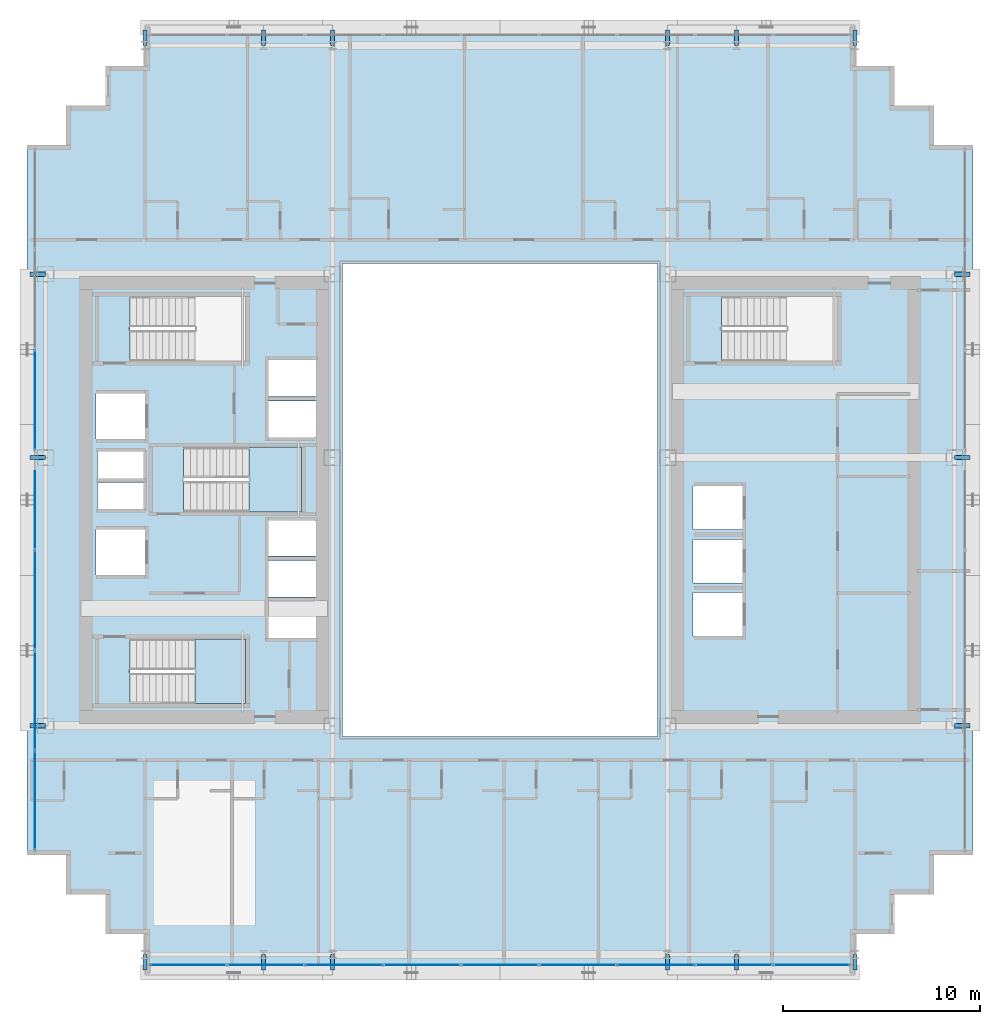
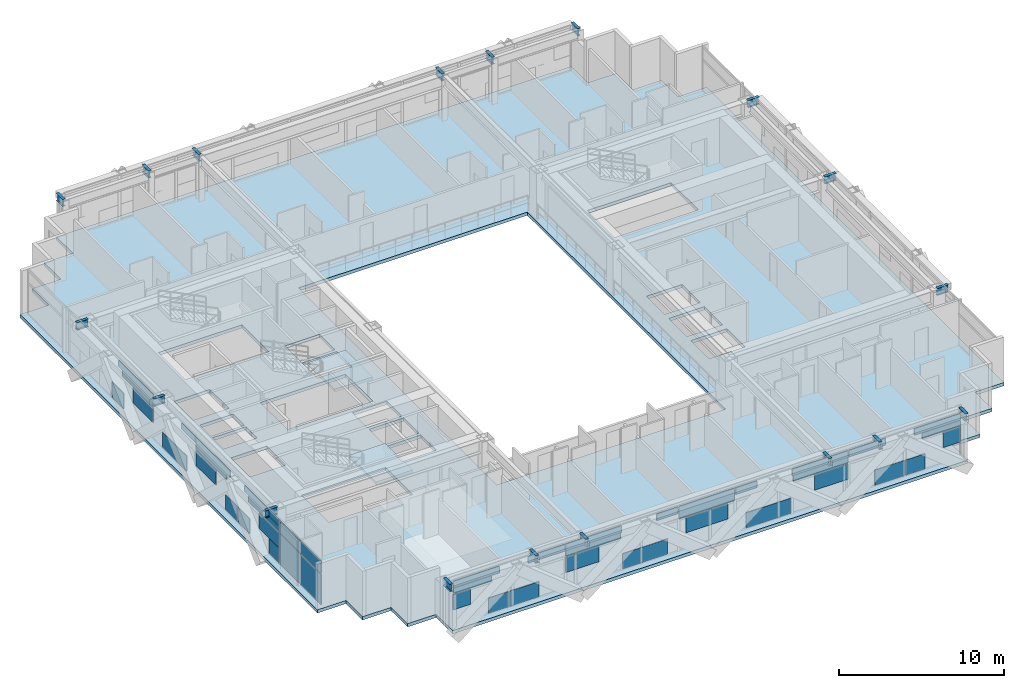
# One storey, part 23 of 36: 41 plates, 18 beams, 3 slabs, 4 elements without a shape of their own.
"""IFC4 building model written with IfcOpenShell, lengths in metres."""

from ifc_helpers import new_model, si_unit, direction, frame, origin, origin_2d, place, context, subcontext, project, spatial, polyline, rectangle, i_section, outline, extrude, source, transform, mapped, material, layer, layer_set, material_profile, profile_set, type_object, element, aggregate, save


model = new_model("IFC4")

# Units and contexts
model_context = context("Model", 3, precision=1e-05, world=origin(), true_north=direction((0.0, 1.0)))
body_context = subcontext(model_context, "Body", "Model", "MODEL_VIEW")
ifc_project = project(units=[si_unit("LENGTHUNIT", "METRE"), si_unit("AREAUNIT", "SQUARE_METRE"), si_unit("VOLUMEUNIT", "CUBIC_METRE"), si_unit("PLANEANGLEUNIT", "RADIAN"), si_unit("MASSUNIT", "GRAM", prefix="KILO")], contexts=[model_context])

# Site, building, storey
site_placement = place(None, origin())
site = spatial("IfcSite", under=ifc_project, at=site_placement, CompositionType="ELEMENT")
building_placement = place(site_placement, origin())
building = spatial("IfcBuilding", under=site, at=building_placement, Name="Ocotamira Hotel", CompositionType="ELEMENT")
storey_placement = place(building_placement, frame((0.0, 0.0, 97.199951171875)))
storey = spatial("IfcBuildingStorey", under=building, at=storey_placement, Name="L23", CompositionType="ELEMENT", Elevation=97.199951171875)

# Beams
ifc_material_1 = material(Name="Steel ASTM A992 Grade 50", Category="steel")
ifc_material_profile = material_profile(ifc_material_1, i_section(OverallWidth=0.2099609375, OverallDepth=0.537109375, WebThickness=0.010986328125, FlangeThickness=0.017333984375, FilletRadius=0.012939453125, at=origin_2d()), Name="W21X68")
ifc_profile_set = profile_set([ifc_material_profile], Name="Steel ASTM A992 Grade 50")
beam_type = type_object("IfcBeamType", Name="BM-SEC-W21X68", PredefinedType="JOIST", material=ifc_profile_set)
shared_shape_1 = source(origin(), body_context, "Body", "SweptSolid", [
    extrude(i_section(OverallWidth=0.2099609375, OverallDepth=0.537109375, WebThickness=0.010986328125, FlangeThickness=0.017333984375, FilletRadius=0.012939453125, at=origin_2d()), origin(), (0.0, 0.0, 1.0), 0.800048828125),
])
for number, where, z_axis, x_axis, name in (
    (1, (14.0, 2.949951171875, 3.091552734375), (0.0, -1.0, 0.0), (1.0, 0.0, 0.0), "L23 South Edge Header X14"),
    (2, (14.0, 49.050048828125, 3.091552734375), (0.0, 1.0, 0.0), (-1.0, 0.0, 0.0), "L23 North Edge Header X14"),
    (3, (20.0, 2.949951171875, 3.091552734375), (0.0, -1.0, 0.0), (1.0, 0.0, 0.0), "L23 South Edge Header X20"),
    (4, (20.0, 49.050048828125, 3.091552734375), (0.0, 1.0, 0.0), (-1.0, 0.0, 0.0), "L23 North Edge Header X20"),
    (5, (23.5, 2.949951171875, 3.091552734375), (0.0, -1.0, 0.0), (1.0, 0.0, 0.0), "L23 South Edge Header X23.5"),
    (6, (23.5, 49.050048828125, 3.091552734375), (0.0, 1.0, 0.0), (-1.0, 0.0, 0.0), "L23 North Edge Header X23.5"),
    (7, (40.5, 2.949951171875, 3.091552734375), (0.0, -1.0, 0.0), (1.0, 0.0, 0.0), "L23 South Edge Header X40.5"),
    (8, (40.5, 49.050048828125, 3.091552734375), (0.0, 1.0, 0.0), (-1.0, 0.0, 0.0), "L23 North Edge Header X40.5"),
    (9, (44.0, 2.949951171875, 3.091552734375), (0.0, -1.0, 0.0), (1.0, 0.0, 0.0), "L23 South Edge Header X44"),
    (10, (44.0, 49.050048828125, 3.091552734375), (0.0, 1.0, 0.0), (-1.0, 0.0, 0.0), "L23 North Edge Header X44"),
    (11, (50.0, 2.949951171875, 3.091552734375), (0.0, -1.0, 0.0), (1.0, 0.0, 0.0), "L23 South Edge Header X50"),
    (12, (50.0, 49.050048828125, 3.091552734375), (0.0, 1.0, 0.0), (-1.0, 0.0, 0.0), "L23 North Edge Header X50"),
    (13, (8.949951171875, 14.550048828125, 3.091552734375), (-1.0, 0.0, 0.0), (0.0, -1.0, 0.0), "L23 West Edge Header Y14.55"),
    (14, (55.050048828125, 14.550048828125, 3.091552734375), (1.0, 0.0, 0.0), (0.0, 1.0, 0.0), "L23 East Edge Header Y14.55"),
    (15, (8.949951171875, 28.14990234375, 3.091552734375), (-1.0, 0.0, 0.0), (0.0, -1.0, 0.0), "L23 West Edge Header Y28.15"),
    (16, (55.050048828125, 28.14990234375, 3.091552734375), (1.0, 0.0, 0.0), (0.0, 1.0, 0.0), "L23 East Edge Header Y28.15"),
    (17, (8.949951171875, 37.449951171875, 3.091552734375), (-1.0, 0.0, 0.0), (0.0, -1.0, 0.0), "L23 West Edge Header Y37.45"),
    (18, (55.050048828125, 37.449951171875, 3.091552734375), (1.0, 0.0, 0.0), (0.0, 1.0, 0.0), "L23 East Edge Header Y37.45"),
):
    element("IfcBeam", number, at=place(storey_placement, frame(where, z_axis=z_axis, x_axis=x_axis)), inside=storey, type_object=beam_type, Name=name, PredefinedType="JOIST", context=body_context, shape_type="MappedRepresentation", body=[
        mapped(shared_shape_1, transform((0.0, 0.0, 0.0), scale=1.0)),
    ])

# Stair, slab
ifc_material_2 = material(Name="Concrete C40/50", Category="concrete")
stair_type = type_object("IfcStairType", Name="ST-CORE-1560", PredefinedType="HALF_TURN_STAIR", material=ifc_material_2)
stair_1_placement = place(storey_placement, origin())
stair_1 = element("IfcStair", 19, at=stair_1_placement, inside=storey, type_object=stair_type, Name="L23 Exit Stair ST-1", PredefinedType="HALF_TURN_STAIR")
ifc_layer_1 = layer(ifc_material_2, 0.199951171875)
ifc_layer_set_1 = layer_set([ifc_layer_1], Name="Concrete C40/50")
slab_type_1 = type_object("IfcSlabType", Name="SLB-LAND-200", PredefinedType="LANDING", material=ifc_layer_set_1)
slab_1_placement = place(storey_placement, frame((0.0, 0.0, 1.60009765625)))
slab_1 = element("IfcSlab", 20, at=slab_1_placement, type_object=slab_type_1, Name="ST-1 landing 1", PredefinedType="LANDING", context=body_context, shape_type="SweptSolid", body=[
    extrude(outline(polyline([(16.530029296875, 15.669921875), (19.090087890625, 15.669921875), (19.090087890625, 18.949951171875), (16.530029296875, 18.949951171875), (16.530029296875, 15.669921875)])), origin(), (0.0, 0.0, 1.0), 0.199951171875),
])
aggregate(stair_1, [slab_1])

stair_2_placement = place(storey_placement, origin())
stair_2 = element("IfcStair", 21, at=stair_2_placement, inside=storey, type_object=stair_type, Name="L23 Exit Stair ST-3", PredefinedType="HALF_TURN_STAIR")
slab_2_placement = place(storey_placement, frame((0.0, 0.0, 1.60009765625)))
slab_2 = element("IfcSlab", 22, at=slab_2_placement, type_object=slab_type_1, Name="ST-3 landing 1", PredefinedType="LANDING", context=body_context, shape_type="SweptSolid", body=[
    extrude(outline(polyline([(19.260009765625, 25.39990234375), (21.919921875, 25.39990234375), (21.919921875, 28.679931640625), (19.260009765625, 28.679931640625), (19.260009765625, 25.39990234375)])), origin(), (0.0, 0.0, 1.0), 0.199951171875),
])
aggregate(stair_2, [slab_2])

# Slab
ifc_layer_2 = layer(ifc_material_2, 0.239990234375)
ifc_layer_set_2 = layer_set([ifc_layer_2], Name="Concrete C40/50")
slab_type_2 = type_object("IfcSlabType", Name="SLB-TYP-240", PredefinedType="FLOOR", material=ifc_layer_set_2)
slab_3_placement = place(storey_placement, frame((0.0, 0.0, -0.239990234375)))
element("IfcSlab", 23, at=slab_3_placement, inside=storey, type_object=slab_type_2, Name="L23 Structural Floor Slab", PredefinedType="FLOOR", context=body_context, shape_type="SweptSolid", body=[
    extrude(outline(polyline([(14.0, 2.0), (50.0, 2.0), (50.0, 4.0), (52.0, 4.0), (52.0, 6.0), (54.0, 6.0), (54.0, 8.0), (56.0, 8.0), (56.0, 44.0), (54.0, 44.0), (54.0, 46.0), (52.0, 46.0), (52.0, 48.0), (50.0, 48.0), (50.0, 50.0), (14.0, 50.0), (14.0, 48.0), (12.0, 48.0), (12.0, 46.0), (10.0, 46.0), (10.0, 44.0), (8.0, 44.0), (8.0, 8.0), (10.0, 8.0), (10.0, 6.0), (12.0, 6.0), (12.0, 4.0), (14.0, 4.0), (14.0, 2.0)]), holes=[polyline([(24.0, 14.0), (40.0, 14.0), (40.0, 38.0), (24.0, 38.0), (24.0, 14.0)]), polyline([(13.22998046875, 15.669921875), (19.090087890625, 15.669921875), (19.090087890625, 18.949951171875), (13.22998046875, 18.949951171875), (13.22998046875, 15.669921875)]), polyline([(13.22998046875, 33.050048828125), (19.090087890625, 33.050048828125), (19.090087890625, 36.330078125), (13.22998046875, 36.330078125), (13.22998046875, 33.050048828125)]), polyline([(15.9599609375, 25.39990234375), (21.919921875, 25.39990234375), (21.919921875, 28.679931640625), (15.9599609375, 28.679931640625), (15.9599609375, 25.39990234375)]), polyline([(43.22998046875, 33.050048828125), (49.090087890625, 33.050048828125), (49.090087890625, 36.330078125), (43.22998046875, 36.330078125), (43.22998046875, 33.050048828125)]), polyline([(41.800048828125, 19.10009765625), (44.300048828125, 19.10009765625), (44.300048828125, 21.300048828125), (41.800048828125, 21.300048828125), (41.800048828125, 19.10009765625)]), polyline([(41.800048828125, 21.800048828125), (44.300048828125, 21.800048828125), (44.300048828125, 24.0), (41.800048828125, 24.0), (41.800048828125, 21.800048828125)]), polyline([(41.800048828125, 24.5), (44.300048828125, 24.5), (44.300048828125, 26.699951171875), (41.800048828125, 26.699951171875), (41.800048828125, 24.5)]), polyline([(20.25, 19.0), (22.659912109375, 19.0), (22.659912109375, 20.85009765625), (20.25, 20.85009765625), (20.25, 19.0)]), polyline([(20.25, 21.080078125), (22.659912109375, 21.080078125), (22.659912109375, 22.929931640625), (20.25, 22.929931640625), (20.25, 21.080078125)]), polyline([(20.25, 23.159912109375), (22.659912109375, 23.159912109375), (22.659912109375, 24.9599609375), (20.25, 24.9599609375), (20.25, 23.159912109375)]), polyline([(20.25, 29.179931640625), (22.659912109375, 29.179931640625), (22.659912109375, 31.030029296875), (20.25, 31.030029296875), (20.25, 29.179931640625)]), polyline([(20.25, 31.260009765625), (22.659912109375, 31.260009765625), (22.659912109375, 33.110107421875), (20.25, 33.110107421875), (20.25, 31.260009765625)]), polyline([(11.5, 22.199951171875), (14.0, 22.199951171875), (14.0, 24.5), (11.5, 24.5), (11.5, 22.199951171875)]), polyline([(11.5, 29.10009765625), (14.0, 29.10009765625), (14.0, 31.39990234375), (11.5, 31.39990234375), (11.5, 29.10009765625)]), polyline([(11.580078125, 25.550048828125), (13.919921875, 25.550048828125), (13.919921875, 26.89990234375), (11.580078125, 26.89990234375), (11.580078125, 25.550048828125)]), polyline([(11.580078125, 27.10009765625), (13.919921875, 27.10009765625), (13.919921875, 28.449951171875), (11.580078125, 28.449951171875), (11.580078125, 27.10009765625)])]), origin(), (0.0, 0.0, 1.0), 0.239990234375),
])

# Curtain wall, plate
ifc_material_3 = material(Name="Anodised pale-metal aluminium and solar glass", Category="aluminium")
ifc_layer_3 = layer(ifc_material_3, 0.179931640625)
ifc_layer_set_3 = layer_set([ifc_layer_3], Name="Anodised pale-metal aluminium and solar glass")
curtain_wall_type = type_object("IfcCurtainWallType", Name="CW-SYS3-Z2", PredefinedType="NOTDEFINED", material=ifc_layer_set_3)
curtain_wall_1_placement = place(storey_placement, origin())
curtain_wall_1 = element("IfcCurtainWall", 24, at=curtain_wall_1_placement, inside=storey, type_object=curtain_wall_type, Name="L23 Curtain Wall CW-3 CW-L23-W", PredefinedType="NOTDEFINED")
ifc_material_4 = material(Name="Double-silver low-E insulated solar glass", Category="glass")
ifc_layer_4 = layer(ifc_material_4, 0.031982421875)
ifc_layer_set_4 = layer_set([ifc_layer_4], Name="Double-silver low-E insulated solar glass")
plate_type = type_object("IfcPlateType", Name="CWP-VISION-32", PredefinedType="CURTAIN_PANEL", material=ifc_layer_set_4)
shared_shape_2 = source(origin(), body_context, "Body", "SweptSolid", [
    extrude(rectangle(XDim=4.9658203125, YDim=0.031982421875, at=origin_2d()), origin(), (0.0, 0.0, 1.0), 2.237548828125),
])
plate_1_placement = place(storey_placement, frame((8.419921875, 10.762939453125, 0.0751953125), z_axis=(0.0, 0.0, 1.0), x_axis=(0.0, 1.0, 0.0)))
plate_1 = element("IfcPlate", 25, at=plate_1_placement, type_object=plate_type, Name="CW-3 panel 1.1", PredefinedType="CURTAIN_PANEL", context=body_context, shape_type="MappedRepresentation", body=[
    mapped(shared_shape_2, transform((0.0, 0.0, 0.0), scale=1.0)),
])

# Curtain wall, plates
curtain_wall_2_placement = place(storey_placement, origin())
curtain_wall_2 = element("IfcCurtainWall", 26, at=curtain_wall_2_placement, inside=storey, type_object=curtain_wall_type, Name="L23 Curtain Wall CW-3 CW-L23-S1", PredefinedType="NOTDEFINED")
shared_shape_3 = source(origin(), body_context, "Body", "SweptSolid", [
    extrude(rectangle(XDim=1.184326171875, YDim=0.031982421875, at=origin_2d()), origin(), (0.0, 0.0, 1.0), 1.118896484375),
])
plate_2_placement = place(storey_placement, frame((14.872314453125, 2.419921875, 1.19384765625), z_axis=(0.0, 0.0, 1.0), x_axis=(1.0, 0.0, 0.0)))
plate_2 = element("IfcPlate", 27, at=plate_2_placement, type_object=plate_type, Name="CW-3 panel 1.1.1", PredefinedType="CURTAIN_PANEL", context=body_context, shape_type="MappedRepresentation", body=[
    mapped(shared_shape_3, transform((0.0, 0.0, 0.0), scale=1.0)),
])
plate_3_placement = place(storey_placement, frame((49.127685546875, 2.419921875, 1.19384765625), z_axis=(0.0, 0.0, 1.0), x_axis=(1.0, 0.0, 0.0)))
plate_3 = element("IfcPlate", 28, at=plate_3_placement, type_object=plate_type, Name="CW-3 panel 9.1.2", PredefinedType="CURTAIN_PANEL", context=body_context, shape_type="MappedRepresentation", body=[
    mapped(shared_shape_3, transform((0.0, 0.0, 0.0), scale=1.0)),
])
shared_shape_4 = source(origin(), body_context, "Body", "SweptSolid", [
    extrude(rectangle(XDim=1.37060546875, YDim=0.031982421875, at=origin_2d()), origin(), (0.0, 0.0, 1.0), 1.11865234375),
])
plate_4_placement = place(storey_placement, frame((17.430419921875, 2.419921875, 0.0751953125), z_axis=(0.0, 0.0, 1.0), x_axis=(1.0, 0.0, 0.0)))
plate_4 = element("IfcPlate", 29, at=plate_4_placement, type_object=plate_type, Name="CW-3 panel 1.1.2", PredefinedType="CURTAIN_PANEL", context=body_context, shape_type="MappedRepresentation", body=[
    mapped(shared_shape_4, transform((0.0, 0.0, 0.0), scale=1.0)),
])
plate_5_placement = place(storey_placement, frame((46.569580078125, 2.419921875, 0.0751953125), z_axis=(0.0, 0.0, 1.0), x_axis=(1.0, 0.0, 0.0)))
plate_5 = element("IfcPlate", 30, at=plate_5_placement, type_object=plate_type, Name="CW-3 panel 9.1.1", PredefinedType="CURTAIN_PANEL", context=body_context, shape_type="MappedRepresentation", body=[
    mapped(shared_shape_4, transform((0.0, 0.0, 0.0), scale=1.0)),
])
shared_shape_5 = source(origin(), body_context, "Body", "SweptSolid", [
    extrude(rectangle(XDim=2.676513671875, YDim=0.031982421875, at=origin_2d()), origin(), (0.0, 0.0, 1.0), 0.39453125),
])
plate_6_placement = place(storey_placement, frame((15.618408203125, 2.419921875, 2.3876953125), z_axis=(0.0, 0.0, 1.0), x_axis=(1.0, 0.0, 0.0)))
plate_6 = element("IfcPlate", 31, at=plate_6_placement, type_object=plate_type, Name="CW-3 panel 1.2.1", PredefinedType="CURTAIN_PANEL", context=body_context, shape_type="MappedRepresentation", body=[
    mapped(shared_shape_5, transform((0.0, 0.0, 0.0), scale=1.0)),
])
plate_7_placement = place(storey_placement, frame((48.381591796875, 2.419921875, 2.3876953125), z_axis=(0.0, 0.0, 1.0), x_axis=(1.0, 0.0, 0.0)))
plate_7 = element("IfcPlate", 32, at=plate_7_placement, type_object=plate_type, Name="CW-3 panel 9.2.2", PredefinedType="CURTAIN_PANEL", context=body_context, shape_type="MappedRepresentation", body=[
    mapped(shared_shape_5, transform((0.0, 0.0, 0.0), scale=1.0)),
])
shared_shape_6 = source(origin(), body_context, "Body", "SweptSolid", [
    extrude(rectangle(XDim=3.208740234375, YDim=0.031982421875, at=origin_2d()), origin(), (0.0, 0.0, 1.0), 0.4716796875),
])
plate_8_placement = place(storey_placement, frame((15.884521484375, 2.419921875, 2.813232421875), z_axis=(0.0, 0.0, 1.0), x_axis=(1.0, 0.0, 0.0)))
plate_8 = element("IfcPlate", 33, at=plate_8_placement, type_object=plate_type, Name="CW-3 panel 1.2.2", PredefinedType="CURTAIN_PANEL", context=body_context, shape_type="MappedRepresentation", body=[
    mapped(shared_shape_6, transform((0.0, 0.0, 0.0), scale=1.0)),
])
plate_9_placement = place(storey_placement, frame((48.115478515625, 2.419921875, 2.813232421875), z_axis=(0.0, 0.0, 1.0), x_axis=(1.0, 0.0, 0.0)))
plate_9 = element("IfcPlate", 34, at=plate_9_placement, type_object=plate_type, Name="CW-3 panel 9.2.1", PredefinedType="CURTAIN_PANEL", context=body_context, shape_type="MappedRepresentation", body=[
    mapped(shared_shape_6, transform((0.0, 0.0, 0.0), scale=1.0)),
])
shared_shape_7 = source(origin(), body_context, "Body", "SweptSolid", [
    extrude(rectangle(XDim=2.059326171875, YDim=0.031982421875, at=origin_2d()), origin(), (0.0, 0.0, 1.0), 1.11865234375),
])
plate_10_placement = place(storey_placement, frame((19.225341796875, 2.419921875, 0.0751953125), z_axis=(0.0, 0.0, 1.0), x_axis=(1.0, 0.0, 0.0)))
plate_10 = element("IfcPlate", 35, at=plate_10_placement, type_object=plate_type, Name="CW-3 panel 2.1.1", PredefinedType="CURTAIN_PANEL", context=body_context, shape_type="MappedRepresentation", body=[
    mapped(shared_shape_7, transform((0.0, 0.0, 0.0), scale=1.0)),
])
plate_11_placement = place(storey_placement, frame((44.774658203125, 2.419921875, 0.0751953125), z_axis=(0.0, 0.0, 1.0), x_axis=(1.0, 0.0, 0.0)))
plate_11 = element("IfcPlate", 36, at=plate_11_placement, type_object=plate_type, Name="CW-3 panel 8.1.1", PredefinedType="CURTAIN_PANEL", context=body_context, shape_type="MappedRepresentation", body=[
    mapped(shared_shape_7, transform((0.0, 0.0, 0.0), scale=1.0)),
])
shared_shape_8 = source(origin(), body_context, "Body", "SweptSolid", [
    extrude(rectangle(XDim=2.559814453125, YDim=0.031982421875, at=origin_2d()), origin(), (0.0, 0.0, 1.0), 0.4716796875),
])
plate_12_placement = place(storey_placement, frame((20.791259765625, 2.419921875, 2.813232421875), z_axis=(0.0, 0.0, 1.0), x_axis=(1.0, 0.0, 0.0)))
plate_12 = element("IfcPlate", 37, at=plate_12_placement, type_object=plate_type, Name="CW-3 panel 2.2.1", PredefinedType="CURTAIN_PANEL", context=body_context, shape_type="MappedRepresentation", body=[
    mapped(shared_shape_8, transform((0.0, 0.0, 0.0), scale=1.0)),
])
plate_13_placement = place(storey_placement, frame((43.208740234375, 2.419921875, 2.813232421875), z_axis=(0.0, 0.0, 1.0), x_axis=(1.0, 0.0, 0.0)))
plate_13 = element("IfcPlate", 38, at=plate_13_placement, type_object=plate_type, Name="CW-3 panel 8.2.1", PredefinedType="CURTAIN_PANEL", context=body_context, shape_type="MappedRepresentation", body=[
    mapped(shared_shape_8, transform((0.0, 0.0, 0.0), scale=1.0)),
])
shared_shape_9 = source(origin(), body_context, "Body", "SweptSolid", [
    extrude(rectangle(XDim=2.313232421875, YDim=0.031982421875, at=origin_2d()), origin(), (0.0, 0.0, 1.0), 1.118896484375),
])
plate_14_placement = place(storey_placement, frame((23.3076171875, 2.419921875, 1.19384765625), z_axis=(0.0, 0.0, 1.0), x_axis=(1.0, 0.0, 0.0)))
plate_14 = element("IfcPlate", 39, at=plate_14_placement, type_object=plate_type, Name="CW-3 panel 3.1.1", PredefinedType="CURTAIN_PANEL", context=body_context, shape_type="MappedRepresentation", body=[
    mapped(shared_shape_9, transform((0.0, 0.0, 0.0), scale=1.0)),
])
plate_15_placement = place(storey_placement, frame((40.6923828125, 2.419921875, 1.19384765625), z_axis=(0.0, 0.0, 1.0), x_axis=(1.0, 0.0, 0.0)))
plate_15 = element("IfcPlate", 40, at=plate_15_placement, type_object=plate_type, Name="CW-3 panel 7.1.1", PredefinedType="CURTAIN_PANEL", context=body_context, shape_type="MappedRepresentation", body=[
    mapped(shared_shape_9, transform((0.0, 0.0, 0.0), scale=1.0)),
])
shared_shape_10 = source(origin(), body_context, "Body", "SweptSolid", [
    extrude(rectangle(XDim=3.805419921875, YDim=0.031982421875, at=origin_2d()), origin(), (0.0, 0.0, 1.0), 0.42578125),
])
plate_16_placement = place(storey_placement, frame((24.0537109375, 2.419921875, 2.387451171875), z_axis=(0.0, 0.0, 1.0), x_axis=(1.0, 0.0, 0.0)))
plate_16 = element("IfcPlate", 41, at=plate_16_placement, type_object=plate_type, Name="CW-3 panel 3.2.1", PredefinedType="CURTAIN_PANEL", context=body_context, shape_type="MappedRepresentation", body=[
    mapped(shared_shape_10, transform((0.0, 0.0, 0.0), scale=1.0)),
])
plate_17_placement = place(storey_placement, frame((39.9462890625, 2.419921875, 2.387451171875), z_axis=(0.0, 0.0, 1.0), x_axis=(1.0, 0.0, 0.0)))
plate_17 = element("IfcPlate", 42, at=plate_17_placement, type_object=plate_type, Name="CW-3 panel 7.2.2", PredefinedType="CURTAIN_PANEL", context=body_context, shape_type="MappedRepresentation", body=[
    mapped(shared_shape_10, transform((0.0, 0.0, 0.0), scale=1.0)),
])
shared_shape_11 = source(origin(), body_context, "Body", "SweptSolid", [
    extrude(rectangle(XDim=3.87548828125, YDim=0.031982421875, at=origin_2d()), origin(), (0.0, 0.0, 1.0), 0.4716796875),
])
plate_18_placement = place(storey_placement, frame((24.0888671875, 2.419921875, 2.813232421875), z_axis=(0.0, 0.0, 1.0), x_axis=(1.0, 0.0, 0.0)))
plate_18 = element("IfcPlate", 43, at=plate_18_placement, type_object=plate_type, Name="CW-3 panel 3.2.2", PredefinedType="CURTAIN_PANEL", context=body_context, shape_type="MappedRepresentation", body=[
    mapped(shared_shape_11, transform((0.0, 0.0, 0.0), scale=1.0)),
])
plate_19_placement = place(storey_placement, frame((39.9111328125, 2.419921875, 2.813232421875), z_axis=(0.0, 0.0, 1.0), x_axis=(1.0, 0.0, 0.0)))
plate_19 = element("IfcPlate", 44, at=plate_19_placement, type_object=plate_type, Name="CW-3 panel 7.2.1", PredefinedType="CURTAIN_PANEL", context=body_context, shape_type="MappedRepresentation", body=[
    mapped(shared_shape_11, transform((0.0, 0.0, 0.0), scale=1.0)),
])
shared_shape_12 = source(origin(), body_context, "Body", "SweptSolid", [
    extrude(rectangle(XDim=3.148193359375, YDim=0.031982421875, at=origin_2d()), origin(), (0.0, 0.0, 1.0), 1.11865234375),
])
plate_20_placement = place(storey_placement, frame((27.680908203125, 2.419921875, 0.0751953125), z_axis=(0.0, 0.0, 1.0), x_axis=(1.0, 0.0, 0.0)))
plate_20 = element("IfcPlate", 45, at=plate_20_placement, type_object=plate_type, Name="CW-3 panel 4.1.1", PredefinedType="CURTAIN_PANEL", context=body_context, shape_type="MappedRepresentation", body=[
    mapped(shared_shape_12, transform((0.0, 0.0, 0.0), scale=1.0)),
])
plate_21_placement = place(storey_placement, frame((36.319091796875, 2.419921875, 0.0751953125), z_axis=(0.0, 0.0, 1.0), x_axis=(1.0, 0.0, 0.0)))
plate_21 = element("IfcPlate", 46, at=plate_21_placement, type_object=plate_type, Name="CW-3 panel 6.1.1", PredefinedType="CURTAIN_PANEL", context=body_context, shape_type="MappedRepresentation", body=[
    mapped(shared_shape_12, transform((0.0, 0.0, 0.0), scale=1.0)),
])
shared_shape_13 = source(origin(), body_context, "Body", "SweptSolid", [
    extrude(rectangle(XDim=1.470947265625, YDim=0.031982421875, at=origin_2d()), origin(), (0.0, 0.0, 1.0), 0.4716796875),
])
plate_22_placement = place(storey_placement, frame((29.24658203125, 2.419921875, 2.813232421875), z_axis=(0.0, 0.0, 1.0), x_axis=(1.0, 0.0, 0.0)))
plate_22 = element("IfcPlate", 47, at=plate_22_placement, type_object=plate_type, Name="CW-3 panel 4.2.1", PredefinedType="CURTAIN_PANEL", context=body_context, shape_type="MappedRepresentation", body=[
    mapped(shared_shape_13, transform((0.0, 0.0, 0.0), scale=1.0)),
])
plate_23_placement = place(storey_placement, frame((34.75341796875, 2.419921875, 2.813232421875), z_axis=(0.0, 0.0, 1.0), x_axis=(1.0, 0.0, 0.0)))
plate_23 = element("IfcPlate", 48, at=plate_23_placement, type_object=plate_type, Name="CW-3 panel 6.2.1", PredefinedType="CURTAIN_PANEL", context=body_context, shape_type="MappedRepresentation", body=[
    mapped(shared_shape_13, transform((0.0, 0.0, 0.0), scale=1.0)),
])
shared_shape_14 = source(origin(), body_context, "Body", "SweptSolid", [
    extrude(rectangle(XDim=2.9287109375, YDim=0.031982421875, at=origin_2d()), origin(), (0.0, 0.0, 1.0), 1.118896484375),
])
plate_24_placement = place(storey_placement, frame((32.0, 2.419921875, 1.19384765625), z_axis=(0.0, 0.0, 1.0), x_axis=(1.0, 0.0, 0.0)))
plate_24 = element("IfcPlate", 49, at=plate_24_placement, type_object=plate_type, Name="CW-3 panel 5.1.1", PredefinedType="CURTAIN_PANEL", context=body_context, shape_type="MappedRepresentation", body=[
    mapped(shared_shape_14, transform((0.0, 0.0, 0.0), scale=1.0)),
])
shared_shape_15 = source(origin(), body_context, "Body", "SweptSolid", [
    extrude(rectangle(XDim=3.87548828125, YDim=0.031982421875, at=origin_2d()), origin(), (0.0, 0.0, 1.0), 0.8974609375),
])
plate_25_placement = place(storey_placement, frame((32.0, 2.419921875, 2.387451171875), z_axis=(0.0, 0.0, 1.0), x_axis=(1.0, 0.0, 0.0)))
plate_25 = element("IfcPlate", 50, at=plate_25_placement, type_object=plate_type, Name="CW-3 panel 5.2", PredefinedType="CURTAIN_PANEL", context=body_context, shape_type="MappedRepresentation", body=[
    mapped(shared_shape_15, transform((0.0, 0.0, 0.0), scale=1.0)),
])
aggregate(curtain_wall_2, [plate_2, plate_4, plate_6, plate_8, plate_10, plate_12, plate_14, plate_16, plate_18, plate_20, plate_22, plate_24, plate_25, plate_21, plate_23, plate_15, plate_19, plate_17, plate_11, plate_13, plate_5, plate_3, plate_9, plate_7])

# Plate
shared_shape_16 = source(origin(), body_context, "Body", "SweptSolid", [
    extrude(rectangle(XDim=4.9658203125, YDim=0.031982421875, at=origin_2d()), origin(), (0.0, 0.0, 1.0), 0.8974609375),
])
plate_26_placement = place(storey_placement, frame((8.419921875, 10.762939453125, 2.387451171875), z_axis=(0.0, 0.0, 1.0), x_axis=(0.0, 1.0, 0.0)))
plate_26 = element("IfcPlate", 51, at=plate_26_placement, type_object=plate_type, Name="CW-3 panel 1.2", PredefinedType="CURTAIN_PANEL", context=body_context, shape_type="MappedRepresentation", body=[
    mapped(shared_shape_16, transform((0.0, 0.0, 0.0), scale=1.0)),
])

shared_shape_17 = source(origin(), body_context, "Body", "SweptSolid", [
    extrude(rectangle(XDim=1.240234375, YDim=0.031982421875, at=origin_2d()), origin(), (0.0, 0.0, 1.0), 1.11865234375),
])
plate_27_placement = place(storey_placement, frame((8.419921875, 13.94580078125, 0.0751953125), z_axis=(0.0, 0.0, 1.0), x_axis=(0.0, 1.0, 0.0)))
plate_27 = element("IfcPlate", 52, at=plate_27_placement, type_object=plate_type, Name="CW-3 panel 2.1.1", PredefinedType="CURTAIN_PANEL", context=body_context, shape_type="MappedRepresentation", body=[
    mapped(shared_shape_17, transform((0.0, 0.0, 0.0), scale=1.0)),
])

shared_shape_18 = source(origin(), body_context, "Body", "SweptSolid", [
    extrude(rectangle(XDim=2.426513671875, YDim=0.031982421875, at=origin_2d()), origin(), (0.0, 0.0, 1.0), 1.118896484375),
])
plate_28_placement = place(storey_placement, frame((8.419921875, 14.538818359375, 1.19384765625), z_axis=(0.0, 0.0, 1.0), x_axis=(0.0, 1.0, 0.0)))
plate_28 = element("IfcPlate", 53, at=plate_28_placement, type_object=plate_type, Name="CW-3 panel 2.1.2", PredefinedType="CURTAIN_PANEL", context=body_context, shape_type="MappedRepresentation", body=[
    mapped(shared_shape_18, transform((0.0, 0.0, 0.0), scale=1.0)),
])

shared_shape_19 = source(origin(), body_context, "Body", "SweptSolid", [
    extrude(rectangle(XDim=1.413330078125, YDim=0.031982421875, at=origin_2d()), origin(), (0.0, 0.0, 1.0), 1.11865234375),
])
plate_29_placement = place(storey_placement, frame((8.419921875, 17.624755859375, 0.0751953125), z_axis=(0.0, 0.0, 1.0), x_axis=(0.0, 1.0, 0.0)))
plate_29 = element("IfcPlate", 54, at=plate_29_placement, type_object=plate_type, Name="CW-3 panel 2.1.3", PredefinedType="CURTAIN_PANEL", context=body_context, shape_type="MappedRepresentation", body=[
    mapped(shared_shape_19, transform((0.0, 0.0, 0.0), scale=1.0)),
])

shared_shape_20 = source(origin(), body_context, "Body", "SweptSolid", [
    extrude(rectangle(XDim=3.69189453125, YDim=0.031982421875, at=origin_2d()), origin(), (0.0, 0.0, 1.0), 0.414306640625),
])
plate_30_placement = place(storey_placement, frame((8.419921875, 15.171630859375, 2.3876953125), z_axis=(0.0, 0.0, 1.0), x_axis=(0.0, 1.0, 0.0)))
plate_30 = element("IfcPlate", 55, at=plate_30_placement, type_object=plate_type, Name="CW-3 panel 2.2.1", PredefinedType="CURTAIN_PANEL", context=body_context, shape_type="MappedRepresentation", body=[
    mapped(shared_shape_20, transform((0.0, 0.0, 0.0), scale=1.0)),
])

shared_shape_21 = source(origin(), body_context, "Body", "SweptSolid", [
    extrude(rectangle(XDim=4.16748046875, YDim=0.031982421875, at=origin_2d()), origin(), (0.0, 0.0, 1.0), 0.44873046875),
])
plate_31_placement = place(storey_placement, frame((8.419921875, 15.409423828125, 2.836181640625), z_axis=(0.0, 0.0, 1.0), x_axis=(0.0, 1.0, 0.0)))
plate_31 = element("IfcPlate", 56, at=plate_31_placement, type_object=plate_type, Name="CW-3 panel 2.2.2", PredefinedType="CURTAIN_PANEL", context=body_context, shape_type="MappedRepresentation", body=[
    mapped(shared_shape_21, transform((0.0, 0.0, 0.0), scale=1.0)),
])

shared_shape_22 = source(origin(), body_context, "Body", "SweptSolid", [
    extrude(rectangle(XDim=1.40380859375, YDim=0.031982421875, at=origin_2d()), origin(), (0.0, 0.0, 1.0), 1.11865234375),
])
plate_32_placement = place(storey_placement, frame((8.419921875, 19.11328125, 0.0751953125), z_axis=(0.0, 0.0, 1.0), x_axis=(0.0, 1.0, 0.0)))
plate_32 = element("IfcPlate", 57, at=plate_32_placement, type_object=plate_type, Name="CW-3 panel 3.1.1", PredefinedType="CURTAIN_PANEL", context=body_context, shape_type="MappedRepresentation", body=[
    mapped(shared_shape_22, transform((0.0, 0.0, 0.0), scale=1.0)),
])

plate_33_placement = place(storey_placement, frame((8.419921875, 32.88671875, 0.0751953125), z_axis=(0.0, 0.0, 1.0), x_axis=(0.0, 1.0, 0.0)))
plate_33 = element("IfcPlate", 58, at=plate_33_placement, type_object=plate_type, Name="CW-3 panel 5.1.2", PredefinedType="CURTAIN_PANEL", context=body_context, shape_type="MappedRepresentation", body=[
    mapped(shared_shape_22, transform((0.0, 0.0, 0.0), scale=1.0)),
])

shared_shape_23 = source(origin(), body_context, "Body", "SweptSolid", [
    extrude(rectangle(XDim=2.404296875, YDim=0.031982421875, at=origin_2d()), origin(), (0.0, 0.0, 1.0), 1.118896484375),
])
plate_34_placement = place(storey_placement, frame((8.419921875, 22.183349609375, 1.19384765625), z_axis=(0.0, 0.0, 1.0), x_axis=(0.0, 1.0, 0.0)))
plate_34 = element("IfcPlate", 59, at=plate_34_placement, type_object=plate_type, Name="CW-3 panel 3.1.2", PredefinedType="CURTAIN_PANEL", context=body_context, shape_type="MappedRepresentation", body=[
    mapped(shared_shape_23, transform((0.0, 0.0, 0.0), scale=1.0)),
])

plate_35_placement = place(storey_placement, frame((8.419921875, 29.816650390625, 1.19384765625), z_axis=(0.0, 0.0, 1.0), x_axis=(0.0, 1.0, 0.0)))
plate_35 = element("IfcPlate", 60, at=plate_35_placement, type_object=plate_type, Name="CW-3 panel 5.1.1", PredefinedType="CURTAIN_PANEL", context=body_context, shape_type="MappedRepresentation", body=[
    mapped(shared_shape_23, transform((0.0, 0.0, 0.0), scale=1.0)),
])

shared_shape_24 = source(origin(), body_context, "Body", "SweptSolid", [
    extrude(rectangle(XDim=4.17724609375, YDim=0.031982421875, at=origin_2d()), origin(), (0.0, 0.0, 1.0), 0.44873046875),
])
plate_36_placement = place(storey_placement, frame((8.419921875, 21.32861328125, 2.836181640625), z_axis=(0.0, 0.0, 1.0), x_axis=(0.0, 1.0, 0.0)))
plate_36 = element("IfcPlate", 61, at=plate_36_placement, type_object=plate_type, Name="CW-3 panel 3.2.1", PredefinedType="CURTAIN_PANEL", context=body_context, shape_type="MappedRepresentation", body=[
    mapped(shared_shape_24, transform((0.0, 0.0, 0.0), scale=1.0)),
])

plate_37_placement = place(storey_placement, frame((8.419921875, 30.67138671875, 2.836181640625), z_axis=(0.0, 0.0, 1.0), x_axis=(0.0, 1.0, 0.0)))
plate_37 = element("IfcPlate", 62, at=plate_37_placement, type_object=plate_type, Name="CW-3 panel 5.2.2", PredefinedType="CURTAIN_PANEL", context=body_context, shape_type="MappedRepresentation", body=[
    mapped(shared_shape_24, transform((0.0, 0.0, 0.0), scale=1.0)),
])

shared_shape_25 = source(origin(), body_context, "Body", "SweptSolid", [
    extrude(rectangle(XDim=3.70166015625, YDim=0.031982421875, at=origin_2d()), origin(), (0.0, 0.0, 1.0), 0.414306640625),
])
plate_38_placement = place(storey_placement, frame((8.419921875, 21.56640625, 2.3876953125), z_axis=(0.0, 0.0, 1.0), x_axis=(0.0, 1.0, 0.0)))
plate_38 = element("IfcPlate", 63, at=plate_38_placement, type_object=plate_type, Name="CW-3 panel 3.2.2", PredefinedType="CURTAIN_PANEL", context=body_context, shape_type="MappedRepresentation", body=[
    mapped(shared_shape_25, transform((0.0, 0.0, 0.0), scale=1.0)),
])

plate_39_placement = place(storey_placement, frame((8.419921875, 30.43359375, 2.3876953125), z_axis=(0.0, 0.0, 1.0), x_axis=(0.0, 1.0, 0.0)))
plate_39 = element("IfcPlate", 64, at=plate_39_placement, type_object=plate_type, Name="CW-3 panel 5.2.1", PredefinedType="CURTAIN_PANEL", context=body_context, shape_type="MappedRepresentation", body=[
    mapped(shared_shape_25, transform((0.0, 0.0, 0.0), scale=1.0)),
])

shared_shape_26 = source(origin(), body_context, "Body", "SweptSolid", [
    extrude(rectangle(XDim=2.897216796875, YDim=0.031982421875, at=origin_2d()), origin(), (0.0, 0.0, 1.0), 1.11865234375),
])
plate_40_placement = place(storey_placement, frame((8.419921875, 26.0, 0.0751953125), z_axis=(0.0, 0.0, 1.0), x_axis=(0.0, 1.0, 0.0)))
plate_40 = element("IfcPlate", 65, at=plate_40_placement, type_object=plate_type, Name="CW-3 panel 4.1.1", PredefinedType="CURTAIN_PANEL", context=body_context, shape_type="MappedRepresentation", body=[
    mapped(shared_shape_26, transform((0.0, 0.0, 0.0), scale=1.0)),
])

shared_shape_27 = source(origin(), body_context, "Body", "SweptSolid", [
    extrude(rectangle(XDim=1.629638671875, YDim=0.031982421875, at=origin_2d()), origin(), (0.0, 0.0, 1.0), 0.44873046875),
])
plate_41_placement = place(storey_placement, frame((8.419921875, 24.31201171875, 2.836181640625), z_axis=(0.0, 0.0, 1.0), x_axis=(0.0, 1.0, 0.0)))
plate_41 = element("IfcPlate", 66, at=plate_41_placement, type_object=plate_type, Name="CW-3 panel 4.2.1", PredefinedType="CURTAIN_PANEL", context=body_context, shape_type="MappedRepresentation", body=[
    mapped(shared_shape_27, transform((0.0, 0.0, 0.0), scale=1.0)),
])

aggregate(curtain_wall_1, [plate_1, plate_26, plate_27, plate_28, plate_29, plate_30, plate_31, plate_32, plate_34, plate_36, plate_38, plate_40, plate_41, plate_35, plate_33, plate_39, plate_37])

save(model, "model.ifc")
